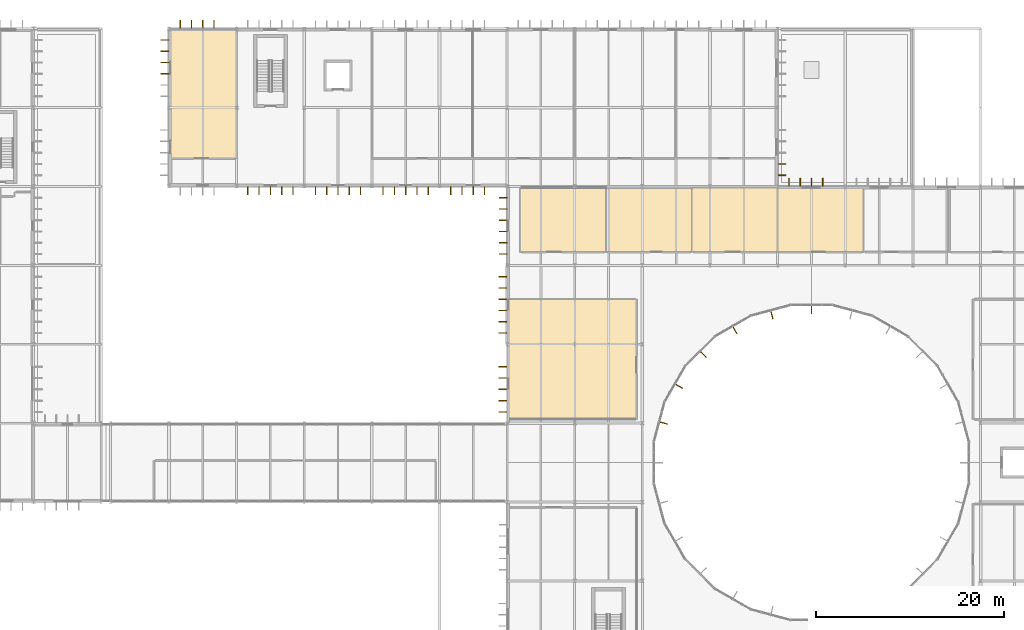
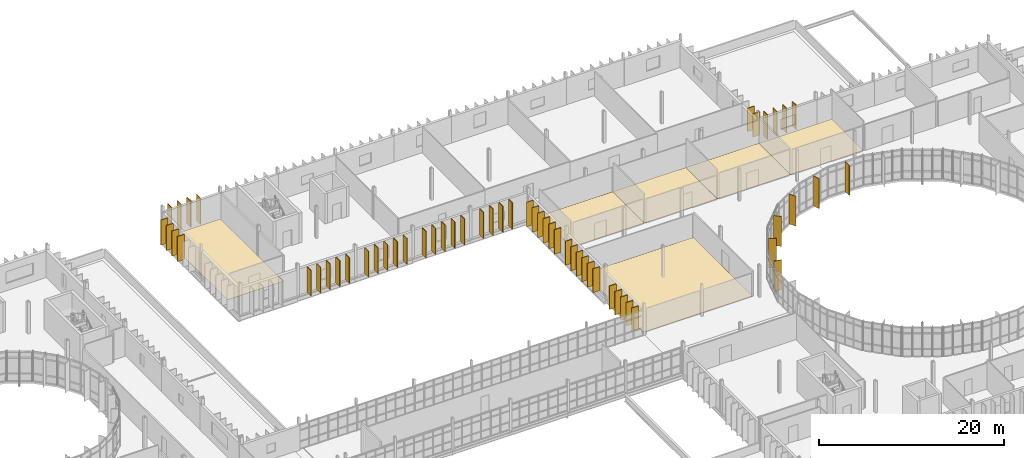
# One storey, part 95 of 99: 56 shading devices, 6 coverings.
"""IFC4 building model written with IfcOpenShell, lengths in metres."""

from ifc_helpers import new_model, si_unit, direction, frame, origin, origin_2d, place, context, subcontext, project, spatial, polyline, rectangle, outline, extrude, material, layer, layer_set, type_object, element, save


model = new_model("IFC4")

# Units and contexts
model_context = context("Model", 3, precision=1e-05, world=origin(), true_north=direction((0.0, 1.0)))
body_context = subcontext(model_context, "Body", "Model", "MODEL_VIEW")
ifc_project = project(units=[si_unit("LENGTHUNIT", "METRE"), si_unit("AREAUNIT", "SQUARE_METRE"), si_unit("VOLUMEUNIT", "CUBIC_METRE"), si_unit("PLANEANGLEUNIT", "RADIAN"), si_unit("MASSUNIT", "GRAM", prefix="KILO")], contexts=[model_context])

# Site, building, storey
site_placement = place(None, origin())
site = spatial("IfcSite", under=ifc_project, at=site_placement, CompositionType="ELEMENT")
building_placement = place(site_placement, origin())
building = spatial("IfcBuilding", under=site, at=building_placement, Name="Qelthora Terrace Specialist Clinic", CompositionType="ELEMENT")
storey_placement = place(building_placement, frame((0.0, 0.0, 9.0)))
storey = spatial("IfcBuildingStorey", under=building, at=storey_placement, Name="L02", CompositionType="ELEMENT", Elevation=9.0)

# Coverings
ifc_material_1 = material(Name="Antimicrobial clinical linoleum flooring", Category="other")
ifc_layer = layer(ifc_material_1, 0.011962890625)
ifc_layer_set = layer_set([ifc_layer], Name="Antimicrobial clinical linoleum flooring")
covering_type = type_object("IfcCoveringType", Name="COV-FLR-LINO-12", PredefinedType="FLOORING", material=ifc_layer_set)
covering_1_placement = place(storey_placement, origin())
element("IfcCovering", 1, at=covering_1_placement, inside=storey, type_object=covering_type, Name="Audiology Testing Suite L02-35 resilient linoleum flooring", PredefinedType="FLOORING", context=body_context, shape_type="SweptSolid", body=[
    extrude(outline(polyline([(95.0, 85.39990234375), (95.0, 92.25), (104.13330078125, 92.25), (104.13330078125, 85.39990234375), (95.0, 85.39990234375)])), origin(), (0.0, 0.0, 1.0), 0.011962890625),
])
covering_2_placement = place(storey_placement, origin())
element("IfcCovering", 2, at=covering_2_placement, inside=storey, type_object=covering_type, Name="Otolaryngology ENT Exam L02-36 resilient linoleum flooring", PredefinedType="FLOORING", context=body_context, shape_type="SweptSolid", body=[
    extrude(outline(polyline([(104.13818359375, 85.39990234375), (104.13818359375, 92.25), (113.2666015625, 92.25), (113.2666015625, 85.39990234375), (104.13818359375, 85.39990234375)])), origin(), (0.0, 0.0, 1.0), 0.011962890625),
])
covering_3_placement = place(storey_placement, origin())
element("IfcCovering", 3, at=covering_3_placement, inside=storey, type_object=covering_type, Name="Allergy and Immunology L02-37 resilient linoleum flooring", PredefinedType="FLOORING", context=body_context, shape_type="SweptSolid", body=[
    extrude(outline(polyline([(113.271728515625, 85.39990234375), (113.271728515625, 92.25), (122.39990234375, 92.25), (122.39990234375, 85.39990234375), (113.271728515625, 85.39990234375)])), origin(), (0.0, 0.0, 1.0), 0.011962890625),
])
covering_4_placement = place(storey_placement, origin())
element("IfcCovering", 4, at=covering_4_placement, inside=storey, type_object=covering_type, Name="Hematology Consultation L02-38 resilient linoleum flooring", PredefinedType="FLOORING", context=body_context, shape_type="SweptSolid", body=[
    extrude(outline(polyline([(122.405029296875, 85.39990234375), (122.405029296875, 92.25), (131.533203125, 92.25), (131.533203125, 85.39990234375), (122.405029296875, 85.39990234375)])), origin(), (0.0, 0.0, 1.0), 0.011962890625),
])
covering_5_placement = place(storey_placement, origin())
element("IfcCovering", 5, at=covering_5_placement, inside=storey, type_object=covering_type, Name="Multidisciplinary Oncology Clinics West L02-40 resilient linoleum flooring", PredefinedType="FLOORING", context=body_context, shape_type="SweptSolid", body=[
    extrude(outline(polyline([(107.39990234375, 80.39990234375), (107.39990234375, 67.60009765625), (93.72998046875, 67.60009765625), (93.72998046875, 80.39990234375), (107.39990234375, 80.39990234375)])), origin(), (0.0, 0.0, 1.0), 0.011962890625),
])
covering_6_placement = place(storey_placement, origin())
element("IfcCovering", 6, at=covering_6_placement, inside=storey, type_object=covering_type, Name="Principal Investigator Lab Office L02-64 resilient linoleum flooring", PredefinedType="FLOORING", context=body_context, shape_type="SweptSolid", body=[
    extrude(outline(polyline([(57.75, 95.39990234375), (57.75, 109.050048828125), (64.800048828125, 109.050048828125), (64.800048828125, 95.39990234375), (57.75, 95.39990234375)])), origin(), (0.0, 0.0, 1.0), 0.011962890625),
])

# Shading devices
ifc_material_2 = material(Name="Glulam timber GL28h", Category="wood")
shading_device_type = type_object("IfcShadingDeviceType", Name="SHD-FIN-850", PredefinedType="USERDEFINED", material=ifc_material_2)
for number, where, z_axis, x_axis, name in (
    (7, (126.0, 79.26123046875, 0.0), (0.0, 0.0, 1.0), (0.0, -1.0, 0.0), "Court solar fin FIN-0052"),
    (8, (121.791259765625, 78.707275390625, 0.0), (0.0, 0.0, 1.0), (0.258819045103, -0.965925826289, 0.0), "Court solar fin FIN-0053"),
    (9, (117.869384765625, 77.082763671875, 0.0), (0.0, 0.0, 1.0), (0.5, -0.866025403784, 0.0), "Court solar fin FIN-0054"),
    (10, (114.50146484375, 74.49853515625, 0.0), (0.0, 0.0, 1.0), (0.707106781187, -0.707106781187, 0.0), "Court solar fin FIN-0055"),
    (11, (111.917236328125, 71.130615234375, 0.0), (0.0, 0.0, 1.0), (0.866025403784, -0.5, 0.0), "Court solar fin FIN-0056"),
    (12, (110.292724609375, 67.208740234375, 0.0), (0.0, 0.0, 1.0), (0.965925826289, -0.258819045103, 0.0), "Court solar fin FIN-0057"),
):
    element("IfcShadingDevice", number, at=place(storey_placement, frame(where, z_axis=z_axis, x_axis=x_axis)), inside=storey, type_object=shading_device_type, Name=name, ObjectType="FIN", PredefinedType="USERDEFINED", context=body_context, shape_type="SweptSolid", body=[
        extrude(rectangle(XDim=0.85009765625, YDim=0.080078125, at=origin_2d()), origin(), (0.0, 0.0, 1.0), 3.945068359375),
    ])
for number, where, z_axis, x_axis, name in (
    (13, (93.14501953125, 68.39990234375, 0.0), (0.0, 0.0, 1.0), (-1.0, 0.0, 0.0), "Exterior solar shading fin FIN-1174"),
    (14, (93.14501953125, 69.60009765625, 0.0), (0.0, 0.0, 1.0), (-1.0, 0.0, 0.0), "Exterior solar shading fin FIN-1175"),
    (15, (93.14501953125, 70.800048828125, 0.0), (0.0, 0.0, 1.0), (-1.0, 0.0, 0.0), "Exterior solar shading fin FIN-1176"),
    (16, (93.14501953125, 72.0, 0.0), (0.0, 0.0, 1.0), (-1.0, 0.0, 0.0), "Exterior solar shading fin FIN-1177"),
    (17, (93.14501953125, 73.199951171875, 0.0), (0.0, 0.0, 1.0), (-1.0, 0.0, 0.0), "Exterior solar shading fin FIN-1178"),
):
    element("IfcShadingDevice", number, at=place(storey_placement, frame(where, z_axis=z_axis, x_axis=x_axis)), inside=storey, type_object=shading_device_type, Name=name, ObjectType="FIN", PredefinedType="USERDEFINED", context=body_context, shape_type="SweptSolid", body=[
        extrude(rectangle(XDim=0.85009765625, YDim=0.080078125, at=origin_2d()), origin(), (0.0, 0.0, 1.0), 3.091064453125),
    ])
for number, where, z_axis, x_axis, name in (
    (18, (93.155029296875, 76.800048828125, 0.0), (0.0, 0.0, 1.0), (-1.0, 0.0, 0.0), "Exterior solar shading fin FIN-1179"),
    (19, (93.155029296875, 78.0, 0.0), (0.0, 0.0, 1.0), (-1.0, 0.0, 0.0), "Exterior solar shading fin FIN-1180"),
    (20, (93.155029296875, 79.199951171875, 0.0), (0.0, 0.0, 1.0), (-1.0, 0.0, 0.0), "Exterior solar shading fin FIN-1181"),
    (21, (93.155029296875, 80.39990234375, 0.0), (0.0, 0.0, 1.0), (-1.0, 0.0, 0.0), "Exterior solar shading fin FIN-1182"),
    (22, (93.155029296875, 81.60009765625, 0.0), (0.0, 0.0, 1.0), (-1.0, 0.0, 0.0), "Exterior solar shading fin FIN-1183"),
    (23, (93.155029296875, 82.800048828125, 0.0), (0.0, 0.0, 1.0), (-1.0, 0.0, 0.0), "Exterior solar shading fin FIN-1184"),
):
    element("IfcShadingDevice", number, at=place(storey_placement, frame(where, z_axis=z_axis, x_axis=x_axis)), inside=storey, type_object=shading_device_type, Name=name, ObjectType="FIN", PredefinedType="USERDEFINED", context=body_context, shape_type="SweptSolid", body=[
        extrude(rectangle(XDim=0.85009765625, YDim=0.080078125, at=origin_2d()), origin(), (0.0, 0.0, 1.0), 3.172119140625),
    ])
for number, where, z_axis, x_axis, name in (
    (24, (93.1650390625, 85.199951171875, 0.0), (0.0, 0.0, 1.0), (-1.0, 0.0, 0.0), "Exterior solar shading fin FIN-1185"),
    (25, (93.1650390625, 86.39990234375, 0.0), (0.0, 0.0, 1.0), (-1.0, 0.0, 0.0), "Exterior solar shading fin FIN-1186"),
    (26, (93.1650390625, 87.60009765625, 0.0), (0.0, 0.0, 1.0), (-1.0, 0.0, 0.0), "Exterior solar shading fin FIN-1187"),
    (27, (93.1650390625, 88.800048828125, 0.0), (0.0, 0.0, 1.0), (-1.0, 0.0, 0.0), "Exterior solar shading fin FIN-1188"),
    (28, (93.1650390625, 90.0, 0.0), (0.0, 0.0, 1.0), (-1.0, 0.0, 0.0), "Exterior solar shading fin FIN-1189"),
    (29, (93.1650390625, 91.199951171875, 0.0), (0.0, 0.0, 1.0), (-1.0, 0.0, 0.0), "Exterior solar shading fin FIN-1190"),
):
    element("IfcShadingDevice", number, at=place(storey_placement, frame(where, z_axis=z_axis, x_axis=x_axis)), inside=storey, type_object=shading_device_type, Name=name, ObjectType="FIN", PredefinedType="USERDEFINED", context=body_context, shape_type="SweptSolid", body=[
        extrude(rectangle(XDim=0.85009765625, YDim=0.080078125, at=origin_2d()), origin(), (0.0, 0.0, 1.0), 3.2490234375),
    ])
for number, where, z_axis, x_axis, name in (
    (30, (66.0, 91.93505859375, 0.0), (0.0, 0.0, 1.0), (0.0, -1.0, 0.0), "Exterior solar shading fin FIN-1195"),
    (31, (67.199951171875, 91.93505859375, 0.0), (0.0, 0.0, 1.0), (0.0, -1.0, 0.0), "Exterior solar shading fin FIN-1196"),
    (32, (68.39990234375, 91.93505859375, 0.0), (0.0, 0.0, 1.0), (0.0, -1.0, 0.0), "Exterior solar shading fin FIN-1197"),
    (33, (69.60009765625, 91.93505859375, 0.0), (0.0, 0.0, 1.0), (0.0, -1.0, 0.0), "Exterior solar shading fin FIN-1198"),
    (34, (70.800048828125, 91.93505859375, 0.0), (0.0, 0.0, 1.0), (0.0, -1.0, 0.0), "Exterior solar shading fin FIN-1199"),
):
    element("IfcShadingDevice", number, at=place(storey_placement, frame(where, z_axis=z_axis, x_axis=x_axis)), inside=storey, type_object=shading_device_type, Name=name, ObjectType="FIN", PredefinedType="USERDEFINED", context=body_context, shape_type="SweptSolid", body=[
        extrude(rectangle(XDim=0.85009765625, YDim=0.080078125, at=origin_2d()), origin(), (0.0, 0.0, 1.0), 3.39794921875),
    ])
for number, where, z_axis, x_axis, name in (
    (35, (73.199951171875, 91.945068359375, 0.0), (0.0, 0.0, 1.0), (0.0, -1.0, 0.0), "Exterior solar shading fin FIN-1200"),
    (36, (74.39990234375, 91.945068359375, 0.0), (0.0, 0.0, 1.0), (0.0, -1.0, 0.0), "Exterior solar shading fin FIN-1201"),
    (37, (75.60009765625, 91.945068359375, 0.0), (0.0, 0.0, 1.0), (0.0, -1.0, 0.0), "Exterior solar shading fin FIN-1202"),
    (38, (76.800048828125, 91.945068359375, 0.0), (0.0, 0.0, 1.0), (0.0, -1.0, 0.0), "Exterior solar shading fin FIN-1203"),
    (39, (78.0, 91.945068359375, 0.0), (0.0, 0.0, 1.0), (0.0, -1.0, 0.0), "Exterior solar shading fin FIN-1204"),
):
    element("IfcShadingDevice", number, at=place(storey_placement, frame(where, z_axis=z_axis, x_axis=x_axis)), inside=storey, type_object=shading_device_type, Name=name, ObjectType="FIN", PredefinedType="USERDEFINED", context=body_context, shape_type="SweptSolid", body=[
        extrude(rectangle(XDim=0.85009765625, YDim=0.080078125, at=origin_2d()), origin(), (0.0, 0.0, 1.0), 3.405029296875),
    ])
for number, where, z_axis, x_axis, name in (
    (40, (80.39990234375, 91.955078125, 0.0), (0.0, 0.0, 1.0), (0.0, -1.0, 0.0), "Exterior solar shading fin FIN-1205"),
    (41, (81.60009765625, 91.955078125, 0.0), (0.0, 0.0, 1.0), (0.0, -1.0, 0.0), "Exterior solar shading fin FIN-1206"),
    (42, (82.800048828125, 91.955078125, 0.0), (0.0, 0.0, 1.0), (0.0, -1.0, 0.0), "Exterior solar shading fin FIN-1207"),
    (43, (84.0, 91.955078125, 0.0), (0.0, 0.0, 1.0), (0.0, -1.0, 0.0), "Exterior solar shading fin FIN-1208"),
    (44, (85.199951171875, 91.955078125, 0.0), (0.0, 0.0, 1.0), (0.0, -1.0, 0.0), "Exterior solar shading fin FIN-1209"),
):
    element("IfcShadingDevice", number, at=place(storey_placement, frame(where, z_axis=z_axis, x_axis=x_axis)), inside=storey, type_object=shading_device_type, Name=name, ObjectType="FIN", PredefinedType="USERDEFINED", context=body_context, shape_type="SweptSolid", body=[
        extrude(rectangle(XDim=0.85009765625, YDim=0.080078125, at=origin_2d()), origin(), (0.0, 0.0, 1.0), 3.47607421875),
    ])
for number, where, z_axis, x_axis, name in (
    (45, (87.60009765625, 91.965087890625, 0.0), (0.0, 0.0, 1.0), (0.0, -1.0, 0.0), "Exterior solar shading fin FIN-1210"),
    (46, (88.800048828125, 91.965087890625, 0.0), (0.0, 0.0, 1.0), (0.0, -1.0, 0.0), "Exterior solar shading fin FIN-1211"),
    (47, (90.0, 91.965087890625, 0.0), (0.0, 0.0, 1.0), (0.0, -1.0, 0.0), "Exterior solar shading fin FIN-1212"),
    (48, (91.199951171875, 91.965087890625, 0.0), (0.0, 0.0, 1.0), (0.0, -1.0, 0.0), "Exterior solar shading fin FIN-1213"),
):
    element("IfcShadingDevice", number, at=place(storey_placement, frame(where, z_axis=z_axis, x_axis=x_axis)), inside=storey, type_object=shading_device_type, Name=name, ObjectType="FIN", PredefinedType="USERDEFINED", context=body_context, shape_type="SweptSolid", body=[
        extrude(rectangle(XDim=0.85009765625, YDim=0.080078125, at=origin_2d()), origin(), (0.0, 0.0, 1.0), 3.48193359375),
    ])
for number, where, z_axis, x_axis, name in (
    (49, (57.135009765625, 104.39990234375, 0.0), (0.0, 0.0, 1.0), (-1.0, 0.0, 0.0), "Exterior solar shading fin FIN-1221"),
    (50, (57.135009765625, 105.60009765625, 0.0), (0.0, 0.0, 1.0), (-1.0, 0.0, 0.0), "Exterior solar shading fin FIN-1222"),
    (51, (57.135009765625, 106.800048828125, 0.0), (0.0, 0.0, 1.0), (-1.0, 0.0, 0.0), "Exterior solar shading fin FIN-1223"),
    (52, (57.135009765625, 108.0, 0.0), (0.0, 0.0, 1.0), (-1.0, 0.0, 0.0), "Exterior solar shading fin FIN-1224"),
):
    element("IfcShadingDevice", number, at=place(storey_placement, frame(where, z_axis=z_axis, x_axis=x_axis)), inside=storey, type_object=shading_device_type, Name=name, ObjectType="FIN", PredefinedType="USERDEFINED", context=body_context, shape_type="SweptSolid", body=[
        extrude(rectangle(XDim=0.85009765625, YDim=0.080078125, at=origin_2d()), origin(), (0.0, 0.0, 1.0), 3.324951171875),
    ])
for number, where, z_axis, x_axis, name in (
    (53, (58.800048828125, 109.655029296875, 0.0), (0.0, 0.0, 1.0), (0.0, 1.0, 0.0), "Exterior solar shading fin FIN-1225"),
    (54, (60.0, 109.655029296875, 0.0), (0.0, 0.0, 1.0), (0.0, 1.0, 0.0), "Exterior solar shading fin FIN-1226"),
    (55, (61.199951171875, 109.655029296875, 0.0), (0.0, 0.0, 1.0), (0.0, 1.0, 0.0), "Exterior solar shading fin FIN-1227"),
    (56, (62.39990234375, 109.655029296875, 0.0), (0.0, 0.0, 1.0), (0.0, 1.0, 0.0), "Exterior solar shading fin FIN-1228"),
):
    element("IfcShadingDevice", number, at=place(storey_placement, frame(where, z_axis=z_axis, x_axis=x_axis)), inside=storey, type_object=shading_device_type, Name=name, ObjectType="FIN", PredefinedType="USERDEFINED", context=body_context, shape_type="SweptSolid", body=[
        extrude(rectangle(XDim=0.85009765625, YDim=0.080078125, at=origin_2d()), origin(), (0.0, 0.0, 1.0), 3.48193359375),
    ])
for number, where, z_axis, x_axis, name in (
    (57, (122.864990234375, 93.60009765625, 0.0), (0.0, 0.0, 1.0), (1.0, 0.0, 0.0), "Exterior solar shading fin FIN-1268"),
    (58, (122.864990234375, 94.800048828125, 0.0), (0.0, 0.0, 1.0), (1.0, 0.0, 0.0), "Exterior solar shading fin FIN-1269"),
):
    element("IfcShadingDevice", number, at=place(storey_placement, frame(where, z_axis=z_axis, x_axis=x_axis)), inside=storey, type_object=shading_device_type, Name=name, ObjectType="FIN", PredefinedType="USERDEFINED", context=body_context, shape_type="SweptSolid", body=[
        extrude(rectangle(XDim=0.85009765625, YDim=0.080078125, at=origin_2d()), origin(), (0.0, 0.0, 1.0), 3.091064453125),
    ])
for number, where, z_axis, x_axis, name in (
    (59, (123.60009765625, 92.844970703125, 0.0), (0.0, 0.0, 1.0), (0.0, 1.0, 0.0), "Exterior solar shading fin FIN-1279"),
    (60, (124.800048828125, 92.844970703125, 0.0), (0.0, 0.0, 1.0), (0.0, 1.0, 0.0), "Exterior solar shading fin FIN-1280"),
    (61, (126.0, 92.844970703125, 0.0), (0.0, 0.0, 1.0), (0.0, 1.0, 0.0), "Exterior solar shading fin FIN-1281"),
    (62, (127.199951171875, 92.844970703125, 0.0), (0.0, 0.0, 1.0), (0.0, 1.0, 0.0), "Exterior solar shading fin FIN-1282"),
):
    element("IfcShadingDevice", number, at=place(storey_placement, frame(where, z_axis=z_axis, x_axis=x_axis)), inside=storey, type_object=shading_device_type, Name=name, ObjectType="FIN", PredefinedType="USERDEFINED", context=body_context, shape_type="SweptSolid", body=[
        extrude(rectangle(XDim=0.85009765625, YDim=0.080078125, at=origin_2d()), origin(), (0.0, 0.0, 1.0), 3.2490234375),
    ])

save(model, "model.ifc")
